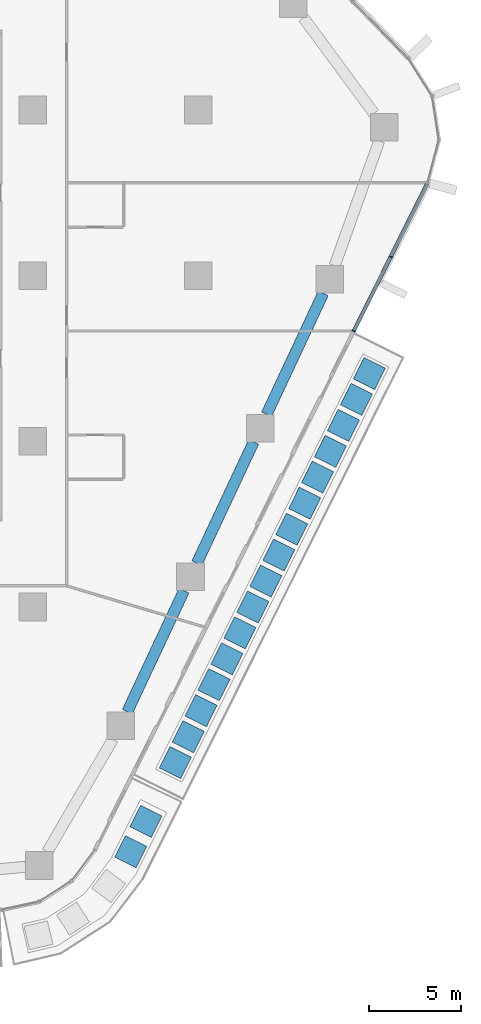
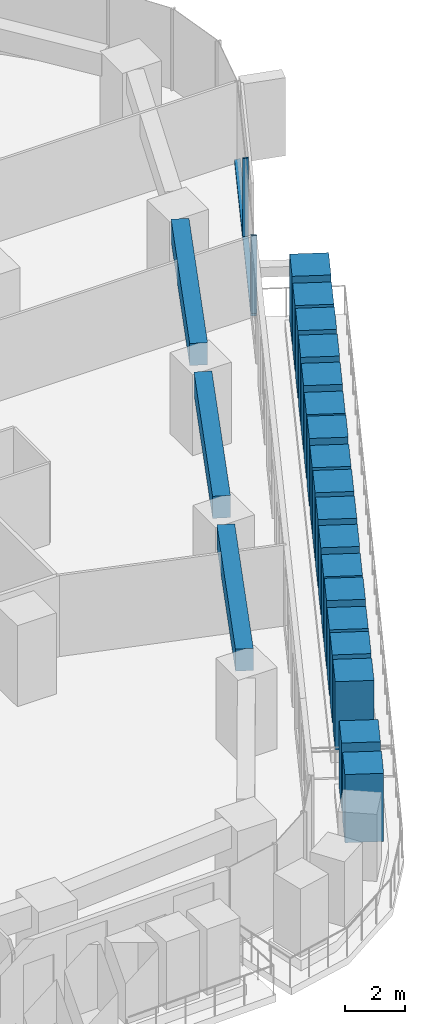
# One storey, part 7 of 26: 21 members, 3 beams, 1 element without a shape of its own.
"""IFC4 building model written with IfcOpenShell, lengths in metres."""

from ifc_helpers import new_model, si_unit, direction, frame, origin, origin_2d, place, context, subcontext, project, spatial, rectangle, extrude, material, layer, layer_set, material_profile, profile_set, type_object, element, aggregate, save


model = new_model("IFC4")

# Units and contexts
model_context = context("Model", 3, precision=1e-05, world=origin(), true_north=direction((0.0, 1.0)))
body_context = subcontext(model_context, "Body", "Model", "MODEL_VIEW")
ifc_project = project(units=[si_unit("LENGTHUNIT", "METRE"), si_unit("AREAUNIT", "SQUARE_METRE"), si_unit("VOLUMEUNIT", "CUBIC_METRE"), si_unit("PLANEANGLEUNIT", "RADIAN"), si_unit("MASSUNIT", "GRAM", prefix="KILO")], contexts=[model_context])

# Site, building, storey
site_placement = place(None, origin())
site = spatial("IfcSite", under=ifc_project, at=site_placement, CompositionType="ELEMENT")
building_placement = place(site_placement, origin())
building = spatial("IfcBuilding", under=site, at=building_placement, Name="Dongbaek Canopy Tower", CompositionType="ELEMENT")
storey_placement = place(building_placement, frame((0.0, 0.0, 69.89990234375)))
storey = spatial("IfcBuildingStorey", under=building, at=storey_placement, Name="L13", CompositionType="ELEMENT", Elevation=69.89990234375)

# Curtain wall, members
ifc_material_1 = material(Name="Aluminium 6063-T6 pale anodised", Category="aluminium")
ifc_layer = layer(ifc_material_1, 0.199951171875)
ifc_layer_set = layer_set([ifc_layer], Name="CW-1 unitised tower curtain wall")
curtain_wall_type = type_object("IfcCurtainWallType", Name="CW-1 unitised tower curtain wall", PredefinedType="NOTDEFINED", material=ifc_layer_set)
curtain_wall_placement = place(storey_placement, origin())
curtain_wall = element("IfcCurtainWall", 1, at=curtain_wall_placement, inside=storey, type_object=curtain_wall_type, Name="CW-1 curtain wall F5.1", PredefinedType="NOTDEFINED")
ifc_material_2 = material(Name="Aluminium 6063-T6 pale anodised", Category="aluminium")
ifc_material_profile_1 = material_profile(ifc_material_2, rectangle(XDim=0.199951171875, YDim=0.06005859375, at=origin_2d()), Name="CW-1 mullion 60 x 200")
ifc_profile_set_1 = profile_set([ifc_material_profile_1], Name="Aluminium 6063-T6 pale anodised")
member_type_1 = type_object("IfcMemberType", Name="CW-1 mullion 60 x 200", PredefinedType="MULLION", material=ifc_profile_set_1)
member_1_placement = place(storey_placement, frame((35.447509765625, -3.005126953125, 0.1201171875), z_axis=(0.0, 0.0, 1.0), x_axis=(0.894823312268, -0.446420474241, 0.0)))
member_1 = element("IfcMember", 2, at=member_1_placement, type_object=member_type_1, Name="CW-1 mullion F5.1.1", PredefinedType="MULLION", context=body_context, shape_type="SweptSolid", body=[
    extrude(rectangle(XDim=0.199951171875, YDim=0.06005859375, at=origin_2d()), origin(), (0.0, 0.0, 1.0), 3.179931640625),
])
member_2_placement = place(storey_placement, frame((37.456298828125, 1.021484375, 0.1201171875), z_axis=(0.0, 0.0, 1.0), x_axis=(0.894823312268, -0.446420474241, 0.0)))
member_2 = element("IfcMember", 3, at=member_2_placement, type_object=member_type_1, Name="CW-1 mullion F5.1.2", PredefinedType="MULLION", context=body_context, shape_type="SweptSolid", body=[
    extrude(rectangle(XDim=0.199951171875, YDim=0.06005859375, at=origin_2d()), origin(), (0.0, 0.0, 1.0), 3.179931640625),
])
ifc_material_3 = material(Name="Aluminium 6063-T6 pale anodised", Category="aluminium")
ifc_material_profile_2 = material_profile(ifc_material_3, rectangle(XDim=0.199951171875, YDim=0.1201171875, at=origin_2d()), Name="CW-1 transom 120 x 200")
ifc_profile_set_2 = profile_set([ifc_material_profile_2], Name="Aluminium 6063-T6 pale anodised")
member_type_2 = type_object("IfcMemberType", Name="CW-1 transom 120 x 200", PredefinedType="USERDEFINED", material=ifc_profile_set_2)
member_3_placement = place(storey_placement, frame((35.447509765625, -3.005126953125, 0.06005859375), z_axis=(0.446420411089, 0.894823343774, 0.0), x_axis=(-0.894823343774, 0.446420411089, 0.0)))
member_3 = element("IfcMember", 4, at=member_3_placement, type_object=member_type_2, Name="CW-1 transom F5.1.1", ObjectType="TRANSOM", PredefinedType="USERDEFINED", context=body_context, shape_type="SweptSolid", body=[
    extrude(rectangle(XDim=0.199951171875, YDim=0.1201171875, at=origin_2d()), origin(), (0.0, 0.0, 1.0), 8.98974609375),
])
aggregate(curtain_wall, [member_1, member_2, member_3])

# Beams
ifc_material_4 = material(Name="Concrete C80", Category="concrete")
ifc_material_profile_3 = material_profile(ifc_material_4, rectangle(XDim=0.60009765625, YDim=0.89990234375, at=origin_2d()), Name="RC EDGE BEAM 600x900 C80")
ifc_profile_set_3 = profile_set([ifc_material_profile_3], Name="Concrete C80")
beam_type = type_object("IfcBeamType", Name="RC EDGE BEAM 600x900 C80", PredefinedType="BEAM", material=ifc_profile_set_3)
beam_1_placement = place(storey_placement, frame((33.791748046875, -0.955078125, 2.85009765625), z_axis=(-0.424064450026, -0.905632012588, 0.0), x_axis=(0.905632012588, -0.424064450026, 0.0)))
element("IfcBeam", 5, at=beam_1_placement, inside=storey, type_object=beam_type, Name="EDGEBEAM:L13:22", PredefinedType="BEAM", context=body_context, shape_type="SweptSolid", body=[
    extrude(rectangle(XDim=0.60009765625, YDim=0.89990234375, at=origin_2d()), origin(), (0.0, 0.0, 1.0), 7.264404296875),
])
beam_2_placement = place(storey_placement, frame((30.0087890625, -9.033935546875, 2.85009765625), z_axis=(-0.424110161641, -0.905610606604, 0.0), x_axis=(0.905610606604, -0.424110161641, 0.0)))
element("IfcBeam", 6, at=beam_2_placement, inside=storey, type_object=beam_type, Name="EDGEBEAM:L13:23", PredefinedType="BEAM", context=body_context, shape_type="SweptSolid", body=[
    extrude(rectangle(XDim=0.60009765625, YDim=0.89990234375, at=origin_2d()), origin(), (0.0, 0.0, 1.0), 7.265869140625),
])
beam_3_placement = place(storey_placement, frame((26.224609375, -17.114013671875, 2.85009765625), z_axis=(-0.42413422917, -0.905599335052, 0.0), x_axis=(0.905599335052, -0.42413422917, 0.0)))
element("IfcBeam", 7, at=beam_3_placement, inside=storey, type_object=beam_type, Name="EDGEBEAM:L13:24", PredefinedType="BEAM", context=body_context, shape_type="SweptSolid", body=[
    extrude(rectangle(XDim=0.60009765625, YDim=0.89990234375, at=origin_2d()), origin(), (0.0, 0.0, 1.0), 7.264892578125),
])

# Members
ifc_material_5 = material(Name="Concrete C40/50 planter mass with planting", Category="concrete")
ifc_material_profile_4 = material_profile(ifc_material_5, rectangle(XDim=1.300048828125, YDim=1.300048828125, at=origin_2d()), Name="Terrace PLANTER shrub mass 1300 x 1300")
ifc_profile_set_4 = profile_set([ifc_material_profile_4], Name="Concrete C40/50 planter mass with planting")
member_type_3 = type_object("IfcMemberType", Name="Terrace PLANTER shrub mass 1300 x 1300", PredefinedType="USERDEFINED", material=ifc_profile_set_4)
member_4_placement = place(storey_placement, frame((25.749267578125, -26.4541015625, 0.420166015625), z_axis=(0.0, 0.0, 1.0), x_axis=(0.894823312268, -0.446420474241, 0.0)))
element("IfcMember", 8, at=member_4_placement, inside=storey, type_object=member_type_3, Name="Planter shrubs L13 5.1", ObjectType="PLANTER", PredefinedType="USERDEFINED", context=body_context, shape_type="SweptSolid", body=[
    extrude(rectangle(XDim=1.300048828125, YDim=1.300048828125, at=origin_2d()), origin(), (0.0, 0.0, 1.0), 2.780029296875),
])
member_5_placement = place(storey_placement, frame((26.452392578125, -25.044921875, 0.420166015625), z_axis=(0.0, 0.0, 1.0), x_axis=(0.894823312268, -0.446420474241, 0.0)))
element("IfcMember", 9, at=member_5_placement, inside=storey, type_object=member_type_3, Name="Planter shrubs L13 5.2", ObjectType="PLANTER", PredefinedType="USERDEFINED", context=body_context, shape_type="SweptSolid", body=[
    extrude(rectangle(XDim=1.300048828125, YDim=1.300048828125, at=origin_2d()), origin(), (0.0, 0.0, 1.0), 2.77001953125),
])
member_6_placement = place(storey_placement, frame((27.155517578125, -23.635498046875, 0.420166015625), z_axis=(0.0, 0.0, 1.0), x_axis=(0.894823312268, -0.446420474241, 0.0)))
element("IfcMember", 10, at=member_6_placement, inside=storey, type_object=member_type_3, Name="Planter shrubs L13 5.3", ObjectType="PLANTER", PredefinedType="USERDEFINED", context=body_context, shape_type="SweptSolid", body=[
    extrude(rectangle(XDim=1.300048828125, YDim=1.300048828125, at=origin_2d()), origin(), (0.0, 0.0, 1.0), 2.68994140625),
])
member_7_placement = place(storey_placement, frame((27.858642578125, -22.22607421875, 0.420166015625), z_axis=(0.0, 0.0, 1.0), x_axis=(0.894823312268, -0.446420474241, 0.0)))
element("IfcMember", 11, at=member_7_placement, inside=storey, type_object=member_type_3, Name="Planter shrubs L13 5.4", ObjectType="PLANTER", PredefinedType="USERDEFINED", context=body_context, shape_type="SweptSolid", body=[
    extrude(rectangle(XDim=1.300048828125, YDim=1.300048828125, at=origin_2d()), origin(), (0.0, 0.0, 1.0), 2.780029296875),
])
member_8_placement = place(storey_placement, frame((28.561767578125, -20.81689453125, 0.420166015625), z_axis=(0.0, 0.0, 1.0), x_axis=(0.894823312268, -0.446420474241, 0.0)))
element("IfcMember", 12, at=member_8_placement, inside=storey, type_object=member_type_3, Name="Planter shrubs L13 5.5", ObjectType="PLANTER", PredefinedType="USERDEFINED", context=body_context, shape_type="SweptSolid", body=[
    extrude(rectangle(XDim=1.300048828125, YDim=1.300048828125, at=origin_2d()), origin(), (0.0, 0.0, 1.0), 2.64990234375),
])
member_9_placement = place(storey_placement, frame((29.264892578125, -19.407470703125, 0.420166015625), z_axis=(0.0, 0.0, 1.0), x_axis=(0.894823312268, -0.446420474241, 0.0)))
element("IfcMember", 13, at=member_9_placement, inside=storey, type_object=member_type_3, Name="Planter shrubs L13 5.6", ObjectType="PLANTER", PredefinedType="USERDEFINED", context=body_context, shape_type="SweptSolid", body=[
    extrude(rectangle(XDim=1.300048828125, YDim=1.300048828125, at=origin_2d()), origin(), (0.0, 0.0, 1.0), 2.72998046875),
])
member_10_placement = place(storey_placement, frame((29.968017578125, -17.998291015625, 0.420166015625), z_axis=(0.0, 0.0, 1.0), x_axis=(0.894823312268, -0.446420474241, 0.0)))
element("IfcMember", 14, at=member_10_placement, inside=storey, type_object=member_type_3, Name="Planter shrubs L13 5.7", ObjectType="PLANTER", PredefinedType="USERDEFINED", context=body_context, shape_type="SweptSolid", body=[
    extrude(rectangle(XDim=1.300048828125, YDim=1.300048828125, at=origin_2d()), origin(), (0.0, 0.0, 1.0), 2.780029296875),
])
member_11_placement = place(storey_placement, frame((30.671142578125, -16.5888671875, 0.420166015625), z_axis=(0.0, 0.0, 1.0), x_axis=(0.894823312268, -0.446420474241, 0.0)))
element("IfcMember", 15, at=member_11_placement, inside=storey, type_object=member_type_3, Name="Planter shrubs L13 5.8", ObjectType="PLANTER", PredefinedType="USERDEFINED", context=body_context, shape_type="SweptSolid", body=[
    extrude(rectangle(XDim=1.300048828125, YDim=1.300048828125, at=origin_2d()), origin(), (0.0, 0.0, 1.0), 2.77001953125),
])
member_12_placement = place(storey_placement, frame((31.3740234375, -15.179443359375, 0.420166015625), z_axis=(0.0, 0.0, 1.0), x_axis=(0.894823312268, -0.446420474241, 0.0)))
element("IfcMember", 16, at=member_12_placement, inside=storey, type_object=member_type_3, Name="Planter shrubs L13 5.9", ObjectType="PLANTER", PredefinedType="USERDEFINED", context=body_context, shape_type="SweptSolid", body=[
    extrude(rectangle(XDim=1.300048828125, YDim=1.300048828125, at=origin_2d()), origin(), (0.0, 0.0, 1.0), 2.68994140625),
])
member_13_placement = place(storey_placement, frame((32.0771484375, -13.770263671875, 0.420166015625), z_axis=(0.0, 0.0, 1.0), x_axis=(0.894823312268, -0.446420474241, 0.0)))
element("IfcMember", 17, at=member_13_placement, inside=storey, type_object=member_type_3, Name="Planter shrubs L13 5.10", ObjectType="PLANTER", PredefinedType="USERDEFINED", context=body_context, shape_type="SweptSolid", body=[
    extrude(rectangle(XDim=1.300048828125, YDim=1.300048828125, at=origin_2d()), origin(), (0.0, 0.0, 1.0), 2.780029296875),
])
member_14_placement = place(storey_placement, frame((32.7802734375, -12.36083984375, 0.420166015625), z_axis=(0.0, 0.0, 1.0), x_axis=(0.894823312268, -0.446420474241, 0.0)))
element("IfcMember", 18, at=member_14_placement, inside=storey, type_object=member_type_3, Name="Planter shrubs L13 5.11", ObjectType="PLANTER", PredefinedType="USERDEFINED", context=body_context, shape_type="SweptSolid", body=[
    extrude(rectangle(XDim=1.300048828125, YDim=1.300048828125, at=origin_2d()), origin(), (0.0, 0.0, 1.0), 2.64990234375),
])
member_15_placement = place(storey_placement, frame((33.4833984375, -10.95166015625, 0.420166015625), z_axis=(0.0, 0.0, 1.0), x_axis=(0.894823312268, -0.446420474241, 0.0)))
element("IfcMember", 19, at=member_15_placement, inside=storey, type_object=member_type_3, Name="Planter shrubs L13 5.12", ObjectType="PLANTER", PredefinedType="USERDEFINED", context=body_context, shape_type="SweptSolid", body=[
    extrude(rectangle(XDim=1.300048828125, YDim=1.300048828125, at=origin_2d()), origin(), (0.0, 0.0, 1.0), 2.72998046875),
])
member_16_placement = place(storey_placement, frame((34.1865234375, -9.542236328125, 0.420166015625), z_axis=(0.0, 0.0, 1.0), x_axis=(0.894823312268, -0.446420474241, 0.0)))
element("IfcMember", 20, at=member_16_placement, inside=storey, type_object=member_type_3, Name="Planter shrubs L13 5.13", ObjectType="PLANTER", PredefinedType="USERDEFINED", context=body_context, shape_type="SweptSolid", body=[
    extrude(rectangle(XDim=1.300048828125, YDim=1.300048828125, at=origin_2d()), origin(), (0.0, 0.0, 1.0), 2.780029296875),
])
member_17_placement = place(storey_placement, frame((34.8896484375, -8.1328125, 0.420166015625), z_axis=(0.0, 0.0, 1.0), x_axis=(0.894823312268, -0.446420474241, 0.0)))
element("IfcMember", 21, at=member_17_placement, inside=storey, type_object=member_type_3, Name="Planter shrubs L13 5.14", ObjectType="PLANTER", PredefinedType="USERDEFINED", context=body_context, shape_type="SweptSolid", body=[
    extrude(rectangle(XDim=1.300048828125, YDim=1.300048828125, at=origin_2d()), origin(), (0.0, 0.0, 1.0), 2.77001953125),
])
member_18_placement = place(storey_placement, frame((35.5927734375, -6.7236328125, 0.420166015625), z_axis=(0.0, 0.0, 1.0), x_axis=(0.894823312268, -0.446420474241, 0.0)))
element("IfcMember", 22, at=member_18_placement, inside=storey, type_object=member_type_3, Name="Planter shrubs L13 5.15", ObjectType="PLANTER", PredefinedType="USERDEFINED", context=body_context, shape_type="SweptSolid", body=[
    extrude(rectangle(XDim=1.300048828125, YDim=1.300048828125, at=origin_2d()), origin(), (0.0, 0.0, 1.0), 2.68994140625),
])
for number, where, z_axis, x_axis, name in (
    (23, (36.2958984375, -5.314208984375, 0.420166015625), (0.0, 0.0, 1.0), (0.894823312268, -0.446420474241, 0.0), "Planter shrubs L13 5.16"),
    (24, (23.328125, -31.2958984375, 0.420166015625), (0.0, 0.0, 1.0), (0.894005773786, -0.448055439021, 0.0), "Planter shrubs L13 8.4"),
):
    element("IfcMember", number, at=place(storey_placement, frame(where, z_axis=z_axis, x_axis=x_axis)), inside=storey, type_object=member_type_3, Name=name, ObjectType="PLANTER", PredefinedType="USERDEFINED", context=body_context, shape_type="SweptSolid", body=[
        extrude(rectangle(XDim=1.300048828125, YDim=1.300048828125, at=origin_2d()), origin(), (0.0, 0.0, 1.0), 2.780029296875),
    ])
member_19_placement = place(storey_placement, frame((24.1572265625, -29.641357421875, 0.420166015625), z_axis=(0.0, 0.0, 1.0), x_axis=(0.894005773786, -0.448055439021, 0.0)))
element("IfcMember", 25, at=member_19_placement, inside=storey, type_object=member_type_3, Name="Planter shrubs L13 8.5", ObjectType="PLANTER", PredefinedType="USERDEFINED", context=body_context, shape_type="SweptSolid", body=[
    extrude(rectangle(XDim=1.300048828125, YDim=1.300048828125, at=origin_2d()), origin(), (0.0, 0.0, 1.0), 2.77001953125),
])

save(model, "model.ifc")
